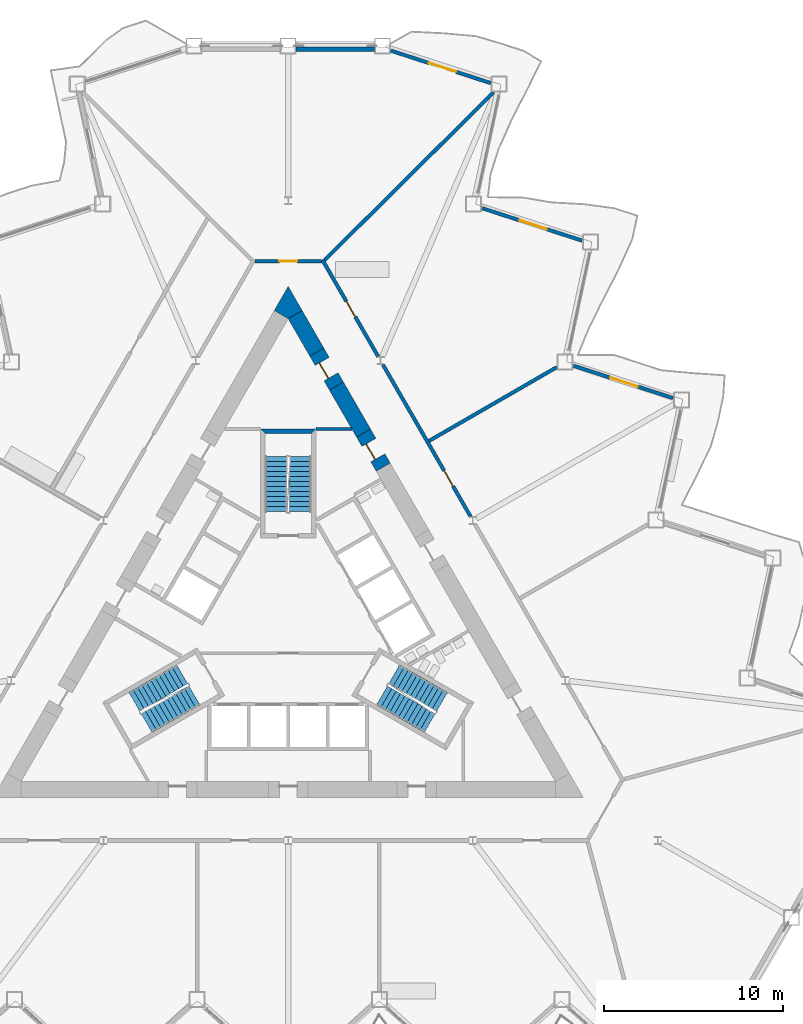
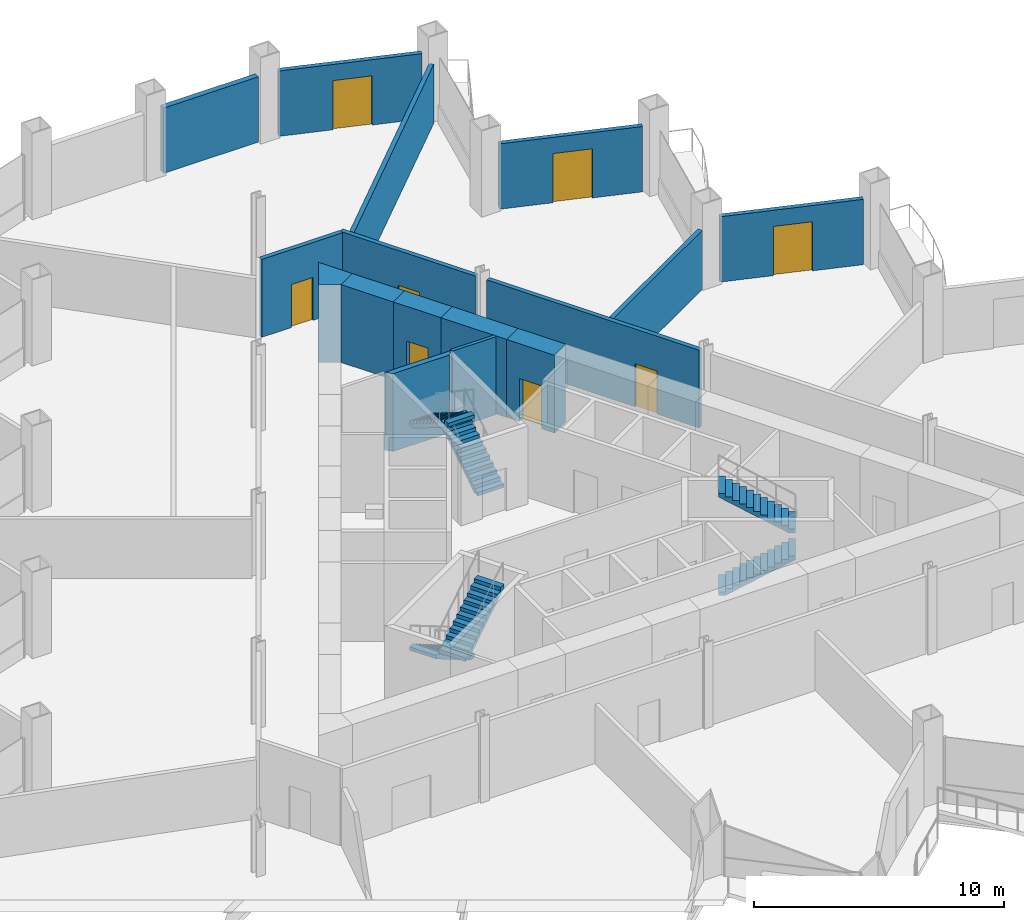
# One storey, part 13 of 21: 16 walls, 8 doors, 6 stair flights, 8 openings, 3 elements without a shape of their own.
"""IFC4 building model written with IfcOpenShell, lengths in metres."""

from ifc_helpers import new_model, si_unit, direction, frame, frame_2d, origin, place, context, subcontext, project, spatial, polyline, rectangle, outline, extrude, material, layer, layer_set, type_object, element, fill, aggregate, save


model = new_model("IFC4")

# Units and contexts
model_context = context("Model", 3, precision=1e-05, world=origin(), true_north=direction((0.0, 1.0)))
body_context = subcontext(model_context, "Body", "Model", "MODEL_VIEW")
ifc_project = project(units=[si_unit("LENGTHUNIT", "METRE"), si_unit("AREAUNIT", "SQUARE_METRE"), si_unit("VOLUMEUNIT", "CUBIC_METRE"), si_unit("PLANEANGLEUNIT", "RADIAN"), si_unit("MASSUNIT", "GRAM", prefix="KILO")], contexts=[model_context])

# Site, building, storey
site_placement = place(None, origin())
site = spatial("IfcSite", under=ifc_project, at=site_placement, CompositionType="ELEMENT")
building_placement = place(site_placement, origin())
building = spatial("IfcBuilding", under=site, at=building_placement, Name="Cormorant Prow Tower", CompositionType="ELEMENT")
storey_placement = place(building_placement, frame((0.0, 0.0, 150.0)))
storey = spatial("IfcBuildingStorey", under=building, at=storey_placement, Name="L32", CompositionType="ELEMENT", Elevation=150.0)

# Walls
ifc_material_1 = material(Name="Gypsum board partition")
ifc_layer_1 = layer(ifc_material_1, 0.14990234375)
ifc_layer_set_1 = layer_set([ifc_layer_1], Name="Gypsum board partition")
wall_type_1 = type_object("IfcWallType", Name="Core partition 150", PredefinedType="PARTITIONING", material=ifc_layer_set_1)
wall_1_placement = place(storey_placement, frame((1.5439453125, 11.0869140625, 0.0), z_axis=(0.0, 0.0, 1.0), x_axis=(1.0, 0.0, 0.0)))
element("IfcWall", 1, at=wall_1_placement, inside=storey, type_object=wall_type_1, Name="Service room partition", PredefinedType="PARTITIONING", context=body_context, shape_type="SweptSolid", body=[
    extrude(rectangle(XDim=2.015869140625, YDim=0.14990234375, at=frame_2d((1.0078125, 0.0))), origin(), (0.0, 0.0, 1.0), 3.800048828125),
])
ifc_material_2 = material(Name="Concrete 8000 psi", Category="concrete")
ifc_layer_2 = layer(ifc_material_2, 0.89990234375)
ifc_layer_set_2 = layer_set([ifc_layer_2], Name="Concrete 8000 psi")
wall_type_2 = type_object("IfcWallType", Name="Core shear wall 900", PredefinedType="SHEAR", material=ifc_layer_set_2)
wall_2_placement = place(storey_placement, frame((4.214111328125, 10.853515625, 0.0), z_axis=(0.0, 0.0, 1.0), x_axis=(-0.500001238203, 0.866024688907, 0.0)))
element("IfcWall", 2, at=wall_2_placement, inside=storey, type_object=wall_type_2, Name="Core wall", PredefinedType="SHEAR", context=body_context, shape_type="SweptSolid", body=[
    extrude(rectangle(XDim=3.0322265625, YDim=0.89990234375, at=frame_2d((1.51611328125, 0.0))), origin(), (0.0, 0.0, 1.0), 3.800048828125),
])
wall_3_placement = place(storey_placement, frame((1.597900390625, 15.384765625, 0.0), z_axis=(0.0, 0.0, 1.0), x_axis=(-0.499996476014, 0.866027438349, 0.0)))
element("IfcWall", 3, at=wall_3_placement, inside=storey, type_object=wall_type_2, Name="Core wall", PredefinedType="SHEAR", context=body_context, shape_type="SweptSolid", body=[
    extrude(rectangle(XDim=2.41650390625, YDim=0.89990234375, at=frame_2d((1.208251953125, 0.0))), origin(), (0.0, 0.0, 1.0), 3.800048828125),
])
wall_4_placement = place(storey_placement, origin())
element("IfcWall", 4, at=wall_4_placement, inside=storey, type_object=wall_type_2, Name="Core wall corner", PredefinedType="SHEAR", context=body_context, shape_type="SweptSolid", body=[
    extrude(outline(polyline([(-0.779296875, 17.70263671875), (0.0, 19.052490234375), (0.779296875, 17.70263671875), (0.0, 17.252685546875), (-0.779296875, 17.70263671875)])), origin(), (0.0, 0.0, 1.0), 3.800048828125),
])

# Wall, opening, door
wall_5_placement = place(storey_placement, frame((2.697998046875, 13.4794921875, 0.0), z_axis=(0.0, 0.0, 1.0), x_axis=(-0.50002983664, 0.866008176907, 0.0)))
wall_5 = element("IfcWall", 5, at=wall_5_placement, inside=storey, type_object=wall_type_2, Name="Core wall door panel", PredefinedType="SHEAR", context=body_context, shape_type="SweptSolid", body=[
    extrude(rectangle(XDim=2.199951171875, YDim=0.89990234375, at=frame_2d((1.10009765625, 0.0))), origin(), (0.0, 0.0, 1.0), 3.800048828125),
])
opening_1_placement = place(wall_5_placement, frame((0.60009765625, 0.0, 0.0)))
opening_1 = element("IfcOpeningElement", 6, at=opening_1_placement, cuts=wall_5, Name="Opening L32-C18", PredefinedType="OPENING", context=body_context, shape_type="SweptSolid", body=[
    extrude(rectangle(XDim=1.0, YDim=2.10009765625, at=frame_2d((0.5, 1.050048828125))), frame((0.0, 0.4599609375, 0.0), z_axis=(0.0, -1.0, 0.0), x_axis=(1.0, 0.0, 0.0)), (0.0, 0.0, 1.0), 0.919921875),
])
ifc_material_3 = material(Name="Painted steel", Category="steel")
door_type_1 = type_object("IfcDoorType", Name="Service door 1000x2100", OperationType="NOTDEFINED", PredefinedType="DOOR", material=ifc_material_3)
door_1_placement = place(opening_1_placement, origin())
door_1 = element("IfcDoor", 7, at=door_1_placement, inside=storey, type_object=door_type_1, Name="Core door, Mechanical riser room", OperationType="SINGLE_SWING_RIGHT", OverallHeight=2.10009765625, OverallWidth=1.0, PredefinedType="DOOR", context=body_context, shape_type="SweptSolid", body=[
    extrude(rectangle(XDim=1.0, YDim=2.10009765625, at=frame_2d((0.5, 1.050048828125))), frame((0.0, 0.205078125, 0.0), z_axis=(0.0, -1.0, 0.0), x_axis=(1.0, 0.0, 0.0)), (0.0, 0.0, 1.0), 0.050048828125),
])
fill(opening_1, door_1)

wall_6_placement = place(storey_placement, frame((5.314208984375, 8.948486328125, 0.0), z_axis=(0.0, 0.0, 1.0), x_axis=(-0.500077893725, 0.86598042715, 0.0)))
wall_6 = element("IfcWall", 8, at=wall_6_placement, inside=storey, type_object=wall_type_2, Name="Core wall door panel", PredefinedType="SHEAR", context=body_context, shape_type="SweptSolid", body=[
    extrude(rectangle(XDim=2.199951171875, YDim=0.89990234375, at=frame_2d((1.10009765625, 0.0))), origin(), (0.0, 0.0, 1.0), 3.800048828125),
])
opening_2_placement = place(wall_6_placement, frame((0.60009765625, 0.0, 0.0)))
opening_2 = element("IfcOpeningElement", 9, at=opening_2_placement, cuts=wall_6, Name="Opening L32-C20", PredefinedType="OPENING", context=body_context, shape_type="SweptSolid", body=[
    extrude(rectangle(XDim=1.0, YDim=2.10009765625, at=frame_2d((0.5, 1.050048828125))), frame((0.0, 0.4599609375, 0.0), z_axis=(0.0, -1.0, 0.0), x_axis=(1.0, 0.0, 0.0)), (0.0, 0.0, 1.0), 0.919921875),
])
door_2_placement = place(opening_2_placement, origin())
door_2 = element("IfcDoor", 10, at=door_2_placement, inside=storey, type_object=door_type_1, Name="Core door, Mechanical riser room", OperationType="SINGLE_SWING_LEFT", OverallHeight=2.10009765625, OverallWidth=1.0, PredefinedType="DOOR", context=body_context, shape_type="SweptSolid", body=[
    extrude(rectangle(XDim=1.0, YDim=2.10009765625, at=frame_2d((0.5, 1.050048828125))), frame((0.0, 0.205078125, 0.0), z_axis=(0.0, -1.0, 0.0), x_axis=(1.0, 0.0, 0.0)), (0.0, 0.0, 1.0), 0.050048828125),
])
fill(opening_2, door_2)

ifc_material_4 = material(Name="Gypsum board corridor wall")
ifc_layer_3 = layer(ifc_material_4, 0.199951171875)
ifc_layer_set_3 = layer_set([ifc_layer_3], Name="Gypsum board corridor wall")
wall_type_3 = type_object("IfcWallType", Name="Corridor wall 200", PredefinedType="PARTITIONING", material=ifc_layer_set_3)
wall_7_placement = place(storey_placement, frame((5.29541015625, 14.680419921875, 0.0), z_axis=(0.0, 0.0, 1.0), x_axis=(0.500012035596, -0.866018454918, 0.0)))
wall_7 = element("IfcWall", 11, at=wall_7_placement, inside=storey, type_object=wall_type_3, Name="Corridor wall", PredefinedType="PARTITIONING", context=body_context, shape_type="SweptSolid", body=[
    extrude(rectangle(XDim=9.803466796875, YDim=0.199951171875, at=frame_2d((4.90185546875, 0.0))), origin(), (0.0, 0.0, 1.0), 3.800048828125),
])
opening_3_placement = place(wall_7_placement, frame((6.8525390625, 0.0, 0.0)))
opening_3 = element("IfcOpeningElement", 12, at=opening_3_placement, cuts=wall_7, Name="Opening L32-F06", PredefinedType="OPENING", context=body_context, shape_type="SweptSolid", body=[
    extrude(rectangle(XDim=1.0, YDim=2.10009765625, at=frame_2d((0.5, 1.050048828125))), frame((0.0, 0.10986328125, 0.0), z_axis=(0.0, -1.0, 0.0), x_axis=(1.0, 0.0, 0.0)), (0.0, 0.0, 1.0), 0.219970703125),
])
ifc_material_5 = material(Name="Timber door leaf", Category="wood")
door_type_2 = type_object("IfcDoorType", Name="Office door 1000x2100", OperationType="NOTDEFINED", PredefinedType="DOOR", material=ifc_material_5)
door_3_placement = place(opening_3_placement, origin())
door_3 = element("IfcDoor", 13, at=door_3_placement, inside=storey, type_object=door_type_2, Name="Tenant suite door", OperationType="SINGLE_SWING_LEFT", OverallHeight=2.10009765625, OverallWidth=1.0, PredefinedType="DOOR", context=body_context, shape_type="SweptSolid", body=[
    extrude(rectangle(XDim=1.0, YDim=2.10009765625, at=frame_2d((0.5, 1.050048828125))), frame((0.0, 0.02490234375, 0.0), z_axis=(0.0, -1.0, 0.0), x_axis=(1.0, 0.0, 0.0)), (0.0, 0.0, 1.0), 0.050048828125),
])
fill(opening_3, door_3)

wall_8_placement = place(storey_placement, frame((1.9130859375, 20.539306640625, 0.0), z_axis=(0.0, 0.0, 1.0), x_axis=(0.499980978912, -0.866036385336, 0.0)))
wall_8 = element("IfcWall", 14, at=wall_8_placement, inside=storey, type_object=wall_type_3, Name="Corridor wall", PredefinedType="PARTITIONING", context=body_context, shape_type="SweptSolid", body=[
    extrude(rectangle(XDim=6.239990234375, YDim=0.199951171875, at=frame_2d((3.1201171875, 0.0))), origin(), (0.0, 0.0, 1.0), 3.800048828125),
])
opening_4_placement = place(wall_8_placement, frame((2.67041015625, 0.0, 0.0)))
opening_4 = element("IfcOpeningElement", 15, at=opening_4_placement, cuts=wall_8, Name="Opening L32-F07", PredefinedType="OPENING", context=body_context, shape_type="SweptSolid", body=[
    extrude(rectangle(XDim=1.0, YDim=2.10009765625, at=frame_2d((0.5, 1.050048828125))), frame((0.0, 0.10986328125, 0.0), z_axis=(0.0, -1.0, 0.0), x_axis=(1.0, 0.0, 0.0)), (0.0, 0.0, 1.0), 0.219970703125),
])
door_4_placement = place(opening_4_placement, origin())
door_4 = element("IfcDoor", 16, at=door_4_placement, inside=storey, type_object=door_type_2, Name="Tenant reception door", OperationType="SINGLE_SWING_LEFT", OverallHeight=2.10009765625, OverallWidth=1.0, PredefinedType="DOOR", context=body_context, shape_type="SweptSolid", body=[
    extrude(rectangle(XDim=1.0, YDim=2.10009765625, at=frame_2d((0.5, 1.050048828125))), frame((0.0, 0.02490234375, 0.0), z_axis=(0.0, -1.0, 0.0), x_axis=(1.0, 0.0, 0.0)), (0.0, 0.0, 1.0), 0.050048828125),
])
fill(opening_4, door_4)

wall_9_placement = place(storey_placement, frame((-1.863037109375, 20.45263671875, 0.0), z_axis=(0.0, 0.0, 1.0), x_axis=(1.0, 0.0, 0.0)))
wall_9 = element("IfcWall", 17, at=wall_9_placement, inside=storey, type_object=wall_type_3, Name="Corridor wall", PredefinedType="PARTITIONING", context=body_context, shape_type="SweptSolid", body=[
    extrude(rectangle(XDim=3.72607421875, YDim=0.199951171875, at=frame_2d((1.863037109375, 0.0))), origin(), (0.0, 0.0, 1.0), 3.800048828125),
])
opening_5_placement = place(wall_9_placement, frame((1.363037109375, 0.0, 0.0)))
opening_5 = element("IfcOpeningElement", 18, at=opening_5_placement, cuts=wall_9, Name="Opening L32-F08", PredefinedType="OPENING", context=body_context, shape_type="SweptSolid", body=[
    extrude(rectangle(XDim=1.0, YDim=2.10009765625, at=frame_2d((0.5, 1.050048828125))), frame((0.0, 0.10986328125, 0.0), z_axis=(0.0, -1.0, 0.0), x_axis=(1.0, 0.0, 0.0)), (0.0, 0.0, 1.0), 0.219970703125),
])
door_5_placement = place(opening_5_placement, origin())
door_5 = element("IfcDoor", 19, at=door_5_placement, inside=storey, type_object=door_type_2, Name="Tenant suite door", OperationType="SINGLE_SWING_RIGHT", OverallHeight=2.10009765625, OverallWidth=1.0, PredefinedType="DOOR", context=body_context, shape_type="SweptSolid", body=[
    extrude(rectangle(XDim=1.0, YDim=2.10009765625, at=frame_2d((0.5, 1.050048828125))), frame((0.0, 0.02490234375, 0.0), z_axis=(0.0, -1.0, 0.0), x_axis=(1.0, 0.0, 0.0)), (0.0, 0.0, 1.0), 0.050048828125),
])
fill(opening_5, door_5)

# Walls
ifc_material_6 = material(Name="Gypsum board demising wall")
ifc_layer_4 = layer(ifc_material_6, 0.199951171875)
ifc_layer_set_4 = layer_set([ifc_layer_4], Name="Gypsum board demising wall")
wall_type_4 = type_object("IfcWallType", Name="Demising wall 200", PredefinedType="PARTITIONING", material=ifc_layer_set_4)
wall_10_placement = place(storey_placement, frame((2.033935546875, 20.52294921875, 0.0), z_axis=(0.0, 0.0, 1.0), x_axis=(0.709504632293, 0.704700771076, 0.0)))
element("IfcWall", 20, at=wall_10_placement, inside=storey, type_object=wall_type_4, Name="Demising wall", PredefinedType="PARTITIONING", context=body_context, shape_type="SweptSolid", body=[
    extrude(rectangle(XDim=13.315185546875, YDim=0.199951171875, at=frame_2d((6.65771484375, 0.0))), origin(), (0.0, 0.0, 1.0), 2.88525390625),
])
wall_11_placement = place(storey_placement, frame((7.87451171875, 10.413818359375, 0.0), z_axis=(0.0, 0.0, 1.0), x_axis=(0.866026194422, 0.499998630573, 0.0)))
element("IfcWall", 21, at=wall_11_placement, inside=storey, type_object=wall_type_4, Name="Demising wall", PredefinedType="PARTITIONING", context=body_context, shape_type="SweptSolid", body=[
    extrude(rectangle(XDim=8.23876953125, YDim=0.199951171875, at=frame_2d((4.119384765625, 0.0))), origin(), (0.0, 0.0, 1.0), 2.88525390625),
])
ifc_material_7 = material(Name="Concrete 8000 psi", Category="concrete")
ifc_layer_5 = layer(ifc_material_7, 0.25)
ifc_layer_set_5 = layer_set([ifc_layer_5], Name="Concrete 8000 psi")
wall_type_5 = type_object("IfcWallType", Name="Stair wall 250", PredefinedType="SHEAR", material=ifc_layer_set_5)
wall_12_placement = place(storey_placement, origin())
element("IfcWall", 22, at=wall_12_placement, inside=storey, type_object=wall_type_5, Name="Stair ST3 enclosure wall (end)", PredefinedType="SHEAR", context=body_context, shape_type="SweptSolid", body=[
    extrude(outline(polyline([(1.5439453125, 11.0869140625), (-1.5439453125, 11.0869140625), (-1.2939453125, 10.8369140625), (1.2939453125, 10.8369140625), (1.5439453125, 11.0869140625)])), origin(), (0.0, 0.0, 1.0), 3.800048828125),
])
ifc_material_8 = material(Name="Terracotta", Category="masonry")
ifc_layer_6 = layer(ifc_material_8, 0.25)
ifc_layer_set_6 = layer_set([ifc_layer_6], Name="Terracotta")
wall_type_6 = type_object("IfcWallType", Name="Terracotta bay wall 250", PredefinedType="SOLIDWALL", material=ifc_layer_set_6)
wall_13_placement = place(storey_placement, frame((4.819580078125, 32.3291015625, 0.0), z_axis=(0.0, 0.0, 1.0), x_axis=(-1.0, 0.0, 0.0)))
element("IfcWall", 23, at=wall_13_placement, inside=storey, type_object=wall_type_6, Name="Terracotta bay wall N00", PredefinedType="SOLIDWALL", context=body_context, shape_type="SweptSolid", body=[
    extrude(rectangle(XDim=4.36962890625, YDim=0.25, at=frame_2d((2.184814453125, 0.0))), origin(), (0.0, 0.0, 1.0), 3.18896484375),
])

# Wall, opening, door
ifc_material_9 = material(Name="Terracotta", Category="masonry")
ifc_layer_7 = layer(ifc_material_9, 0.199951171875)
ifc_layer_set_7 = layer_set([ifc_layer_7], Name="Terracotta")
wall_type_7 = type_object("IfcWallType", Name="Terracotta jamb wall 200", PredefinedType="SOLIDWALL", material=ifc_layer_set_7)
wall_14_placement = place(storey_placement, frame((21.521484375, 12.8095703125, 0.0), z_axis=(0.0, 0.0, 1.0), x_axis=(-0.951049976734, 0.309037120351, 0.0)))
wall_14 = element("IfcWall", 24, at=wall_14_placement, inside=storey, type_object=wall_type_7, Name="Terracotta jamb wall ENE05", PredefinedType="SOLIDWALL", context=body_context, shape_type="SweptSolid", body=[
    extrude(rectangle(XDim=5.8642578125, YDim=0.199951171875, at=frame_2d((2.93212890625, 0.0))), origin(), (0.0, 0.0, 1.0), 3.18896484375),
])
opening_6_placement = place(wall_14_placement, frame((2.081298828125, 0.0, 0.0)))
opening_6 = element("IfcOpeningElement", 25, at=opening_6_placement, cuts=wall_14, Name="Opening ED32.08", PredefinedType="OPENING", context=body_context, shape_type="SweptSolid", body=[
    extrude(rectangle(XDim=1.60009765625, YDim=2.39990234375, at=frame_2d((0.800048828125, 1.199951171875))), frame((0.0, 0.10986328125, 0.0), z_axis=(0.0, -1.0, 0.0), x_axis=(1.0, 0.0, 0.0)), (0.0, 0.0, 1.0), 0.219970703125),
])
ifc_material_10 = material(Name="Aluminium 6063-T6", Category="aluminium")
door_type_3 = type_object("IfcDoorType", Name="Balcony door 1600x2400", OperationType="DOUBLE_DOOR_SINGLE_SWING", PredefinedType="DOOR", material=ifc_material_10)
door_6_placement = place(opening_6_placement, origin())
door_6 = element("IfcDoor", 26, at=door_6_placement, inside=storey, type_object=door_type_3, Name="Balcony door ENE05 ED32.08", OperationType="DOUBLE_DOOR_SINGLE_SWING", OverallHeight=2.39990234375, OverallWidth=1.60009765625, PredefinedType="DOOR", context=body_context, shape_type="SweptSolid", body=[
    extrude(rectangle(XDim=1.60009765625, YDim=2.39990234375, at=frame_2d((0.800048828125, 1.199951171875))), frame((0.0, 0.02490234375, 0.0), z_axis=(0.0, -1.0, 0.0), x_axis=(1.0, 0.0, 0.0)), (0.0, 0.0, 1.0), 0.050048828125),
])
fill(opening_6, door_6)

wall_15_placement = place(storey_placement, frame((16.421630859375, 21.616943359375, 0.0), z_axis=(0.0, 0.0, 1.0), x_axis=(-0.951066187209, 0.308987228779, 0.0)))
wall_15 = element("IfcWall", 27, at=wall_15_placement, inside=storey, type_object=wall_type_7, Name="Terracotta jamb wall ENE07", PredefinedType="SOLIDWALL", context=body_context, shape_type="SweptSolid", body=[
    extrude(rectangle(XDim=5.8642578125, YDim=0.199951171875, at=frame_2d((2.93212890625, 0.0))), origin(), (0.0, 0.0, 1.0), 3.18896484375),
])
opening_7_placement = place(wall_15_placement, frame((2.061767578125, 0.0, 0.0)))
opening_7 = element("IfcOpeningElement", 28, at=opening_7_placement, cuts=wall_15, Name="Opening ED32.09", PredefinedType="OPENING", context=body_context, shape_type="SweptSolid", body=[
    extrude(rectangle(XDim=1.60009765625, YDim=2.39990234375, at=frame_2d((0.800048828125, 1.199951171875))), frame((0.0, 0.10986328125, 0.0), z_axis=(0.0, -1.0, 0.0), x_axis=(1.0, 0.0, 0.0)), (0.0, 0.0, 1.0), 0.219970703125),
])
door_7_placement = place(opening_7_placement, origin())
door_7 = element("IfcDoor", 29, at=door_7_placement, inside=storey, type_object=door_type_3, Name="Balcony door ENE07 ED32.09", OperationType="DOUBLE_DOOR_SINGLE_SWING", OverallHeight=2.39990234375, OverallWidth=1.60009765625, PredefinedType="DOOR", context=body_context, shape_type="SweptSolid", body=[
    extrude(rectangle(XDim=1.60009765625, YDim=2.39990234375, at=frame_2d((0.800048828125, 1.199951171875))), frame((0.0, 0.02490234375, 0.0), z_axis=(0.0, -1.0, 0.0), x_axis=(1.0, 0.0, 0.0)), (0.0, 0.0, 1.0), 0.050048828125),
])
fill(opening_7, door_7)

wall_16_placement = place(storey_placement, frame((11.32177734375, 30.424072265625, 0.0), z_axis=(0.0, 0.0, 1.0), x_axis=(-0.951053952554, 0.309024884649, 0.0)))
wall_16 = element("IfcWall", 30, at=wall_16_placement, inside=storey, type_object=wall_type_7, Name="Terracotta jamb wall ENE09", PredefinedType="SOLIDWALL", context=body_context, shape_type="SweptSolid", body=[
    extrude(rectangle(XDim=5.864501953125, YDim=0.199951171875, at=frame_2d((2.93212890625, 0.0))), origin(), (0.0, 0.0, 1.0), 3.18896484375),
])
opening_8_placement = place(wall_16_placement, frame((2.042236328125, 0.0, 0.0)))
opening_8 = element("IfcOpeningElement", 31, at=opening_8_placement, cuts=wall_16, Name="Opening ED32.10", PredefinedType="OPENING", context=body_context, shape_type="SweptSolid", body=[
    extrude(rectangle(XDim=1.60009765625, YDim=2.39990234375, at=frame_2d((0.800048828125, 1.199951171875))), frame((0.0, 0.10986328125, 0.0), z_axis=(0.0, -1.0, 0.0), x_axis=(1.0, 0.0, 0.0)), (0.0, 0.0, 1.0), 0.219970703125),
])
door_8_placement = place(opening_8_placement, origin())
door_8 = element("IfcDoor", 32, at=door_8_placement, inside=storey, type_object=door_type_3, Name="Balcony door ENE09 ED32.10", OperationType="DOUBLE_DOOR_SINGLE_SWING", OverallHeight=2.39990234375, OverallWidth=1.60009765625, PredefinedType="DOOR", context=body_context, shape_type="SweptSolid", body=[
    extrude(rectangle(XDim=1.60009765625, YDim=2.39990234375, at=frame_2d((0.800048828125, 1.199951171875))), frame((0.0, 0.02490234375, 0.0), z_axis=(0.0, -1.0, 0.0), x_axis=(1.0, 0.0, 0.0)), (0.0, 0.0, 1.0), 0.050048828125),
])
fill(opening_8, door_8)

# Stair, stair flights
ifc_material_11 = material(Name="Exit stair 24 risers")
stair_type = type_object("IfcStairType", Name="Exit stair 24 risers", PredefinedType="HALF_TURN_STAIR", material=ifc_material_11)
stair_1_placement = place(storey_placement, origin())
stair_1 = element("IfcStair", 33, at=stair_1_placement, inside=storey, type_object=stair_type, Name="L32 Exit stair ST1", PredefinedType="HALF_TURN_STAIR")
ifc_material_12 = material(Name="Concrete 5000 psi", Category="concrete")
stair_flight_type = type_object("IfcStairFlightType", Name="Stair flight 1219", PredefinedType="STRAIGHT", material=ifc_material_12)
stair_flight_1_placement = place(storey_placement, frame((-5.93310546875, -2.635009765625, 0.0), z_axis=(0.0, 0.0, 1.0), x_axis=(-0.866025403784, -0.5, 0.0)))
stair_flight_1 = element("IfcStairFlight", 34, at=stair_flight_1_placement, type_object=stair_flight_type, Name="ST1 flight 1", NumberOfRisers=12, NumberOfTreads=11, PredefinedType="STRAIGHT", RiserHeight=0.175, TreadLength=0.28, context=body_context, shape_type="SweptSolid", body=[
    extrude(outline(polyline([(0.0, 0.0), (0.0, 0.175048828125), (0.280029296875, 0.175048828125), (0.280029296875, 0.35009765625), (0.56005859375, 0.35009765625), (0.56005859375, 0.52490234375), (0.840087890625, 0.52490234375), (0.840087890625, 0.699951171875), (1.1201171875, 0.699951171875), (1.1201171875, 0.875), (1.39990234375, 0.875), (1.39990234375, 1.050048828125), (1.679931640625, 1.050048828125), (1.679931640625, 1.22509765625), (1.9599609375, 1.22509765625), (1.9599609375, 1.39990234375), (2.239990234375, 1.39990234375), (2.239990234375, 1.574951171875), (2.52001953125, 1.574951171875), (2.52001953125, 1.75), (2.800048828125, 1.75), (2.800048828125, 1.925048828125), (3.080078125, 1.925048828125), (3.080078125, 2.10009765625), (3.080078125, 1.748291015625), (0.28271484375, 0.0), (0.0, 0.0)])), frame((0.0, 0.609375, 0.0), z_axis=(0.0, -1.0, 0.0), x_axis=(1.0, 0.0, 0.0)), (0.0, 0.0, 1.0), 1.218994140625),
])
stair_flight_2_placement = place(storey_placement, frame((-7.916015625, -5.360595703125, 2.10009765625), z_axis=(0.0, 0.0, 1.0), x_axis=(0.866025403784, 0.5, 0.0)))
stair_flight_2 = element("IfcStairFlight", 35, at=stair_flight_2_placement, type_object=stair_flight_type, Name="ST1 flight 2", NumberOfRisers=12, NumberOfTreads=11, PredefinedType="STRAIGHT", RiserHeight=0.175, TreadLength=0.28, context=body_context, shape_type="SweptSolid", body=[
    extrude(outline(polyline([(0.0, 0.0), (0.0, 0.175048828125), (0.280029296875, 0.175048828125), (0.280029296875, 0.35009765625), (0.56005859375, 0.35009765625), (0.56005859375, 0.52490234375), (0.840087890625, 0.52490234375), (0.840087890625, 0.699951171875), (1.1201171875, 0.699951171875), (1.1201171875, 0.875), (1.39990234375, 0.875), (1.39990234375, 1.050048828125), (1.679931640625, 1.050048828125), (1.679931640625, 1.22509765625), (1.9599609375, 1.22509765625), (1.9599609375, 1.39990234375), (2.239990234375, 1.39990234375), (2.239990234375, 1.574951171875), (2.52001953125, 1.574951171875), (2.52001953125, 1.75), (2.800048828125, 1.75), (2.800048828125, 1.925048828125), (3.080078125, 1.925048828125), (3.080078125, 2.10009765625), (3.080078125, 1.748291015625), (0.28271484375, 0.0), (0.0, 0.0)])), frame((0.0, 0.609375, 0.0), z_axis=(0.0, -1.0, 0.0), x_axis=(1.0, 0.0, 0.0)), (0.0, 0.0, 1.0), 1.218994140625),
])
aggregate(stair_1, [stair_flight_1, stair_flight_2])

stair_2_placement = place(storey_placement, origin())
stair_2 = element("IfcStair", 36, at=stair_2_placement, inside=storey, type_object=stair_type, Name="L32 Exit stair ST2", PredefinedType="HALF_TURN_STAIR")
stair_flight_3_placement = place(storey_placement, frame((5.24853515625, -3.82080078125, 0.0), z_axis=(0.0, 0.0, 1.0), x_axis=(0.866025403784, -0.5, 0.0)))
stair_flight_3 = element("IfcStairFlight", 37, at=stair_flight_3_placement, type_object=stair_flight_type, Name="ST2 flight 1", NumberOfRisers=12, NumberOfTreads=11, PredefinedType="STRAIGHT", RiserHeight=0.175, TreadLength=0.28, context=body_context, shape_type="SweptSolid", body=[
    extrude(outline(polyline([(0.0, 0.0), (0.0, 0.175048828125), (0.280029296875, 0.175048828125), (0.280029296875, 0.35009765625), (0.56005859375, 0.35009765625), (0.56005859375, 0.52490234375), (0.840087890625, 0.52490234375), (0.840087890625, 0.699951171875), (1.1201171875, 0.699951171875), (1.1201171875, 0.875), (1.39990234375, 0.875), (1.39990234375, 1.050048828125), (1.679931640625, 1.050048828125), (1.679931640625, 1.22509765625), (1.9599609375, 1.22509765625), (1.9599609375, 1.39990234375), (2.239990234375, 1.39990234375), (2.239990234375, 1.574951171875), (2.52001953125, 1.574951171875), (2.52001953125, 1.75), (2.800048828125, 1.75), (2.800048828125, 1.925048828125), (3.080078125, 1.925048828125), (3.080078125, 2.10009765625), (3.080078125, 1.748291015625), (0.28271484375, 0.0), (0.0, 0.0)])), frame((0.0, 0.609375, 0.0), z_axis=(0.0, -1.0, 0.0), x_axis=(1.0, 0.0, 0.0)), (0.0, 0.0, 1.0), 1.218994140625),
])
stair_flight_4_placement = place(storey_placement, frame((8.6005859375, -4.175048828125, 2.10009765625), z_axis=(0.0, 0.0, 1.0), x_axis=(-0.866025403784, 0.5, 0.0)))
stair_flight_4 = element("IfcStairFlight", 38, at=stair_flight_4_placement, type_object=stair_flight_type, Name="ST2 flight 2", NumberOfRisers=12, NumberOfTreads=11, PredefinedType="STRAIGHT", RiserHeight=0.175, TreadLength=0.28, context=body_context, shape_type="SweptSolid", body=[
    extrude(outline(polyline([(0.0, 0.0), (0.0, 0.175048828125), (0.280029296875, 0.175048828125), (0.280029296875, 0.35009765625), (0.56005859375, 0.35009765625), (0.56005859375, 0.52490234375), (0.840087890625, 0.52490234375), (0.840087890625, 0.699951171875), (1.1201171875, 0.699951171875), (1.1201171875, 0.875), (1.39990234375, 0.875), (1.39990234375, 1.050048828125), (1.679931640625, 1.050048828125), (1.679931640625, 1.22509765625), (1.9599609375, 1.22509765625), (1.9599609375, 1.39990234375), (2.239990234375, 1.39990234375), (2.239990234375, 1.574951171875), (2.52001953125, 1.574951171875), (2.52001953125, 1.75), (2.800048828125, 1.75), (2.800048828125, 1.925048828125), (3.080078125, 1.925048828125), (3.080078125, 2.10009765625), (3.080078125, 1.748291015625), (0.28271484375, 0.0), (0.0, 0.0)])), frame((0.0, 0.609375, 0.0), z_axis=(0.0, -1.0, 0.0), x_axis=(1.0, 0.0, 0.0)), (0.0, 0.0, 1.0), 1.218994140625),
])
aggregate(stair_2, [stair_flight_3, stair_flight_4])

stair_3_placement = place(storey_placement, origin())
stair_3 = element("IfcStair", 39, at=stair_3_placement, inside=storey, type_object=stair_type, Name="L32 Exit stair ST3", PredefinedType="HALF_TURN_STAIR")
stair_flight_5_placement = place(storey_placement, frame((0.6845703125, 6.455810546875, 0.0), z_axis=(0.0, 0.0, 1.0), x_axis=(0.0, 1.0, 0.0)))
stair_flight_5 = element("IfcStairFlight", 40, at=stair_flight_5_placement, type_object=stair_flight_type, Name="ST3 flight 1", NumberOfRisers=12, NumberOfTreads=11, PredefinedType="STRAIGHT", RiserHeight=0.175, TreadLength=0.28, context=body_context, shape_type="SweptSolid", body=[
    extrude(outline(polyline([(0.0, 0.0), (0.0, 0.175048828125), (0.280029296875, 0.175048828125), (0.280029296875, 0.35009765625), (0.56005859375, 0.35009765625), (0.56005859375, 0.52490234375), (0.840087890625, 0.52490234375), (0.840087890625, 0.699951171875), (1.1201171875, 0.699951171875), (1.1201171875, 0.875), (1.39990234375, 0.875), (1.39990234375, 1.050048828125), (1.679931640625, 1.050048828125), (1.679931640625, 1.22509765625), (1.9599609375, 1.22509765625), (1.9599609375, 1.39990234375), (2.239990234375, 1.39990234375), (2.239990234375, 1.574951171875), (2.52001953125, 1.574951171875), (2.52001953125, 1.75), (2.800048828125, 1.75), (2.800048828125, 1.925048828125), (3.080078125, 1.925048828125), (3.080078125, 2.10009765625), (3.080078125, 1.748291015625), (0.28271484375, 0.0), (0.0, 0.0)])), frame((0.0, 0.609375, 0.0), z_axis=(0.0, -1.0, 0.0), x_axis=(1.0, 0.0, 0.0)), (0.0, 0.0, 1.0), 1.218994140625),
])
stair_flight_6_placement = place(storey_placement, frame((-0.6845703125, 9.535888671875, 2.10009765625), z_axis=(0.0, 0.0, 1.0), x_axis=(0.0, -1.0, 0.0)))
stair_flight_6 = element("IfcStairFlight", 41, at=stair_flight_6_placement, type_object=stair_flight_type, Name="ST3 flight 2", NumberOfRisers=12, NumberOfTreads=11, PredefinedType="STRAIGHT", RiserHeight=0.175, TreadLength=0.28, context=body_context, shape_type="SweptSolid", body=[
    extrude(outline(polyline([(0.0, 0.0), (0.0, 0.175048828125), (0.280029296875, 0.175048828125), (0.280029296875, 0.35009765625), (0.56005859375, 0.35009765625), (0.56005859375, 0.52490234375), (0.840087890625, 0.52490234375), (0.840087890625, 0.699951171875), (1.1201171875, 0.699951171875), (1.1201171875, 0.875), (1.39990234375, 0.875), (1.39990234375, 1.050048828125), (1.679931640625, 1.050048828125), (1.679931640625, 1.22509765625), (1.9599609375, 1.22509765625), (1.9599609375, 1.39990234375), (2.239990234375, 1.39990234375), (2.239990234375, 1.574951171875), (2.52001953125, 1.574951171875), (2.52001953125, 1.75), (2.800048828125, 1.75), (2.800048828125, 1.925048828125), (3.080078125, 1.925048828125), (3.080078125, 2.10009765625), (3.080078125, 1.748291015625), (0.28271484375, 0.0), (0.0, 0.0)])), frame((0.0, 0.609375, 0.0), z_axis=(0.0, -1.0, 0.0), x_axis=(1.0, 0.0, 0.0)), (0.0, 0.0, 1.0), 1.218994140625),
])
aggregate(stair_3, [stair_flight_5, stair_flight_6])

save(model, "model.ifc")
